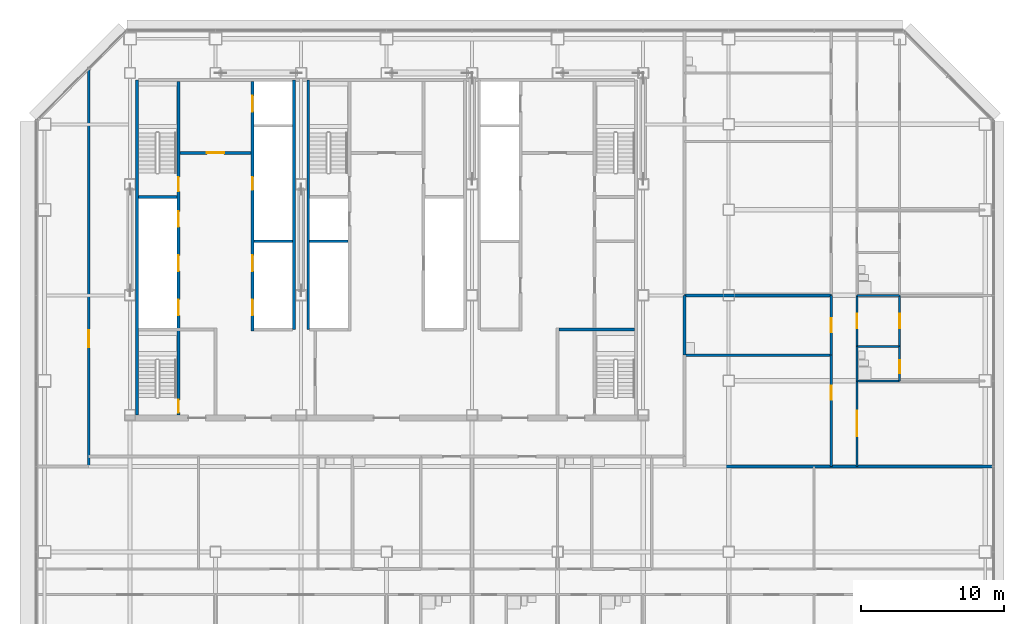
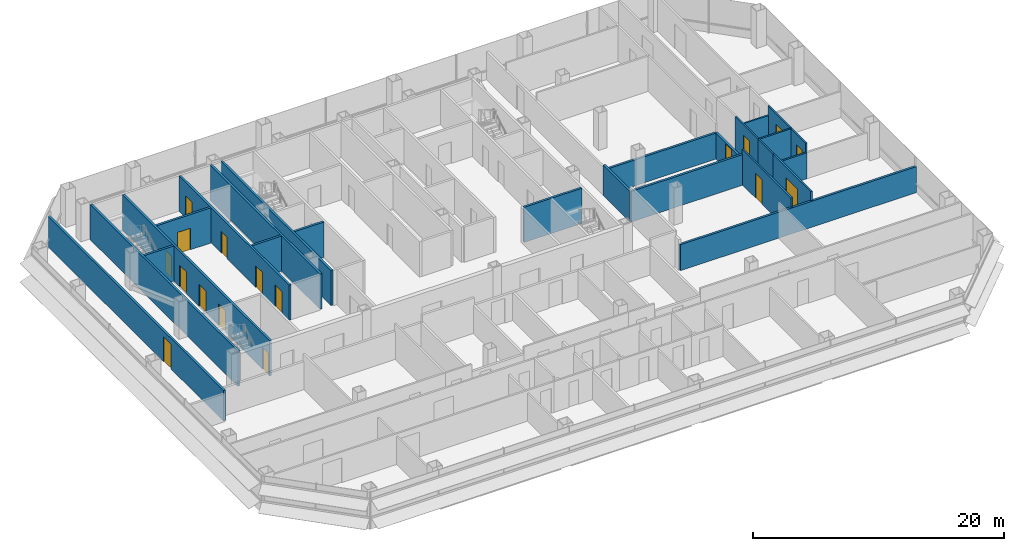
# One storey, part 22 of 26: 25 walls, 17 doors, 17 openings.
"""IFC4 building model written with IfcOpenShell, lengths in metres."""

import ifcopenshell
import ifcopenshell.guid

model = None  # the IFC model being written
_history = None  # IfcOwnerHistory: only IFC2X3 demands one
_inside = {}  # id of a spatial element -> (the spatial element, [elements in it])
_under = {}  # id of a project, library or spatial element -> (it, [spatial elements below it])
_declared = {}  # id of a project -> (the project, [libraries it declares])
_typed = {}  # id of a type object -> (the type object, [elements of that type])
_made_of = {}  # id of a material, layer set ... -> (it, [elements and type objects made of it])


def new_model(schema):
    """Start an empty IFC model of exactly this schema.

    Asked for "IFC4X3", IfcOpenShell would pick the latest addendum, in which some entities
    have other attributes; the version numbers below select the first issue.
    IFC2X3 requires an IfcOwnerHistory on every rooted entity: one is made here for all.
    """
    global model, _history
    if schema == "IFC4X3":
        model = ifcopenshell.file(schema_version=(4, 3, 0, 0))
    else:
        model = ifcopenshell.file(schema=schema)
    _inside.clear()
    _under.clear()
    _declared.clear()
    _typed.clear()
    _made_of.clear()
    _history = None
    if model.schema == "IFC2X3":
        org = make("IfcOrganization", Name="unknown")
        user = make(
            "IfcPersonAndOrganization",
            ThePerson=make("IfcPerson", FamilyName="unknown"),
            TheOrganization=org,
        )
        app = make(
            "IfcApplication",
            ApplicationDeveloper=org,
            Version="unknown",
            ApplicationFullName="unknown",
            ApplicationIdentifier="unknown",
        )
        _history = make(
            "IfcOwnerHistory",
            OwningUser=user,
            OwningApplication=app,
            ChangeAction="ADDED",
            CreationDate=0,
        )
    return model


def make(cls, **values):
    """One entity of the class cls with the attributes given. An attribute that is None is left unset."""
    return model.create_entity(
        cls, **{name: value for name, value in values.items() if value is not None}
    )


def rooted(cls, **values):
    """An entity with a GlobalId (a new one), such as an element, a storey or a relation."""
    return make(cls, GlobalId=ifcopenshell.guid.new(), OwnerHistory=_history, **values)


def si_unit(unit_type, name, prefix=None):
    """IfcSIUnit, for example si_unit("LENGTHUNIT", "METRE", prefix="MILLI")."""
    return make("IfcSIUnit", UnitType=unit_type, Prefix=prefix, Name=name)


def assignment(units):
    """IfcUnitAssignment: the units of a project."""
    return None if units is None else make("IfcUnitAssignment", Units=units)


def point(xyz):
    """IfcCartesianPoint."""
    return None if xyz is None else make("IfcCartesianPoint", Coordinates=xyz)


def direction(xyz):
    """IfcDirection."""
    return None if xyz is None else make("IfcDirection", DirectionRatios=xyz)


def frame(location, z_axis=None, x_axis=None):
    """IfcAxis2Placement3D, a coordinate frame: its origin and axes. An axis left out is left unset."""
    return make(
        "IfcAxis2Placement3D",
        Location=point(location),
        Axis=direction(z_axis),
        RefDirection=direction(x_axis),
    )


def frame_2d(location, x_axis=None):
    """IfcAxis2Placement2D, a coordinate frame in the plane: its origin and x axis."""
    return make(
        "IfcAxis2Placement2D", Location=point(location), RefDirection=direction(x_axis)
    )


def origin():
    """The frame at (0, 0, 0) with its axes left unset."""
    return frame((0.0, 0.0, 0.0))


def place(relative_to, where):
    """IfcLocalPlacement: puts the frame where relative to a parent placement (None: the world)."""
    return make(
        "IfcLocalPlacement", PlacementRelTo=relative_to, RelativePlacement=where
    )


def context(
    kind, dimensions, precision=None, world=None, true_north=None, identifier=None
):
    """IfcGeometricRepresentationContext, for example the 3D "Model" context."""
    return make(
        "IfcGeometricRepresentationContext",
        ContextIdentifier=identifier,
        ContextType=kind,
        CoordinateSpaceDimension=dimensions,
        Precision=precision,
        WorldCoordinateSystem=world,
        TrueNorth=true_north,
    )


def subcontext(parent, identifier, kind, view, scale=None):
    """IfcGeometricRepresentationSubContext, for example "Body" below "Model"."""
    return make(
        "IfcGeometricRepresentationSubContext",
        ContextIdentifier=identifier,
        ContextType=kind,
        ParentContext=parent,
        TargetScale=scale,
        TargetView=view,
    )


def project(units=None, contexts=None):
    """IfcProject with its units and contexts."""
    return rooted(
        "IfcProject",
        Name="project",
        RepresentationContexts=contexts,
        UnitsInContext=assignment(units),
    )


def spatial(cls, under=None, at=None, **own):
    """A site, building, storey or space (cls), placed at a placement, below another one or the project."""
    s = rooted(cls, ObjectPlacement=at, **own)
    if under is not None:
        _under.setdefault(under.id(), (under, []))[1].append(s)
    return s


def profile(cls, at=None, kind="AREA", **sizes):
    """A parametric profile (cls). Its sizes go by their IFC names, for example OverallWidth=200.0."""
    return make(cls, ProfileType=kind, Position=at, **sizes)


def rectangle(**sizes):
    """IfcRectangleProfileDef."""
    return profile("IfcRectangleProfileDef", **sizes)


def extrude(swept, where, along, depth):
    """IfcExtrudedAreaSolid: the profile swept, set in the frame where, extruded along a direction by depth."""
    return make(
        "IfcExtrudedAreaSolid",
        SweptArea=swept,
        Position=where,
        ExtrudedDirection=direction(along),
        Depth=depth,
    )


def shape(context_of_items, identifier, shape_type, items):
    """IfcShapeRepresentation: the items that make up one representation, for example the "Body"."""
    return make(
        "IfcShapeRepresentation",
        ContextOfItems=context_of_items,
        RepresentationIdentifier=identifier,
        RepresentationType=shape_type,
        Items=items,
    )


def material(Name=None, Category=None):
    """IfcMaterial."""
    return make("IfcMaterial", Name=Name, Category=Category)


def layer(
    of_material, thickness, ventilated=None, Name=None, Category=None, Priority=None
):
    """IfcMaterialLayer: one layer of a wall or slab, of a material (None: an air gap)."""
    return make(
        "IfcMaterialLayer",
        Material=of_material,
        LayerThickness=thickness,
        IsVentilated=ventilated,
        Name=Name,
        Category=Category,
        Priority=Priority,
    )


def layer_set(layers, Name=None):
    """IfcMaterialLayerSet."""
    return make("IfcMaterialLayerSet", MaterialLayers=layers, LayerSetName=Name)


def made_of(thing, what):
    """Note that an element or type object is made of a material, layer set ...; save() writes the relation."""
    if what is not None:
        _made_of.setdefault(what.id(), (what, []))[1].append(thing)
    return thing


def type_object(cls, material=None, **own):
    """A type object (cls), such as IfcWallType, which elements share."""
    return made_of(rooted(cls, **own), material)


def element(
    cls,
    number,
    at=None,
    inside=None,
    cuts=None,
    type_object=None,
    material=None,
    context=None,
    identifier="Body",
    shape_type=None,
    held_by="IfcProductDefinitionShape",
    body=None,
    shapes=None,
    **own,
):
    """One element of the class cls, such as IfcWall. Its Tag is "e" and its number.

    at: its placement. inside: the storey or other place that contains it. cuts: it is an
    opening in that element (IfcRelVoidsElement). A single representation is given by context,
    identifier, shape_type and body (its items); several are given by shapes. held_by: the class
    of the entity that holds the representations. save() writes the other relations.
    """
    e = rooted(cls, Tag="e%d" % number, ObjectPlacement=at, **own)
    if body is not None:
        shapes = [shape(context, identifier, shape_type, body)]
    if shapes is not None:
        e.Representation = make(held_by, Representations=shapes)
    if inside is not None:
        _inside.setdefault(inside.id(), (inside, []))[1].append(e)
    if cuts is not None:
        rooted(
            "IfcRelVoidsElement", RelatingBuildingElement=cuts, RelatedOpeningElement=e
        )
    if type_object is not None:
        _typed.setdefault(type_object.id(), (type_object, []))[1].append(e)
    return made_of(e, material)


def fill(opening, filler):
    """IfcRelFillsElement: the door or window that sits in an opening."""
    return rooted(
        "IfcRelFillsElement",
        RelatingOpeningElement=opening,
        RelatedBuildingElement=filler,
    )


def aggregate(whole, parts):
    """IfcRelAggregates: a whole, such as a stair, and the parts it consists of."""
    return rooted("IfcRelAggregates", RelatingObject=whole, RelatedObjects=parts)


def save(model, path):
    """Write the relations noted so far, then the file.

    IfcRelAggregates (storeys below a building ...), IfcRelContainedInSpatialStructure (elements
    in a storey), IfcRelDefinesByType, IfcRelAssociatesMaterial and IfcRelDeclares: one each for
    every whole, place, type object, material and project.
    """
    for whole, parts in _under.values():
        aggregate(whole, parts)
    for where, things in _inside.values():
        rooted(
            "IfcRelContainedInSpatialStructure",
            RelatedElements=things,
            RelatingStructure=where,
        )
    for kind, things in _typed.values():
        rooted("IfcRelDefinesByType", RelatedObjects=things, RelatingType=kind)
    for what, things in _made_of.values():
        rooted("IfcRelAssociatesMaterial", RelatedObjects=things, RelatingMaterial=what)
    for by, libraries in _declared.values():
        rooted("IfcRelDeclares", RelatingContext=by, RelatedDefinitions=libraries)
    model.write(path)


model = new_model("IFC4")

# Units and contexts
model_context = context("Model", 3, precision=1e-05, world=origin(), true_north=direction((0.0, 1.0)))
body_context = subcontext(model_context, "Body", "Model", "MODEL_VIEW")
ifc_project = project(units=[si_unit("LENGTHUNIT", "METRE"), si_unit("AREAUNIT", "SQUARE_METRE"), si_unit("VOLUMEUNIT", "CUBIC_METRE"), si_unit("PLANEANGLEUNIT", "RADIAN"), si_unit("MASSUNIT", "GRAM", prefix="KILO")], contexts=[model_context])

# Site, building, storey
site_placement = place(None, origin())
site = spatial("IfcSite", under=ifc_project, at=site_placement, CompositionType="ELEMENT")
building_placement = place(site_placement, origin())
building = spatial("IfcBuilding", under=site, at=building_placement, Name="Sorahane Residences", CompositionType="ELEMENT")
storey_placement = place(building_placement, frame((0.0, 0.0, 67.800048828125)))
storey = spatial("IfcBuildingStorey", under=building, at=storey_placement, Name="L13", CompositionType="ELEMENT", Elevation=67.800048828125)

# Walls
ifc_material_1 = material(Name="Concrete C30", Category="concrete")
ifc_layer_1 = layer(ifc_material_1, 0.199951171875)
ifc_layer_set_1 = layer_set([ifc_layer_1], Name="Core face wall 200 EI 180")
wall_type_1 = type_object("IfcWallType", Name="Core face wall 200 EI 180", PredefinedType="SOLIDWALL", material=ifc_layer_set_1)
wall_1_placement = place(storey_placement, frame((6.5, 21.60009765625, 0.0), z_axis=(0.0, 0.0, 1.0), x_axis=(0.0, 1.0, 0.0)))
element("IfcWall", 1, at=wall_1_placement, inside=storey, type_object=wall_type_1, Name="L13 core face wall", PredefinedType="SOLIDWALL", context=body_context, shape_type="SweptSolid", body=[
    extrude(rectangle(XDim=23.5, YDim=0.199951171875, at=frame_2d((11.75, 0.0))), origin(), (0.0, 0.0, 1.0), 3.419921875),
])
for number, where, z_axis, x_axis, name in (
    (2, (17.5, 27.60009765625, 0.0), (0.0, 0.0, 1.0), (0.0, 1.0, 0.0), "L13 core face wall"),
    (3, (18.5, 27.60009765625, 0.0), (0.0, 0.0, 1.0), (0.0, 1.0, 0.0), "L13 core face wall"),
):
    element("IfcWall", number, at=place(storey_placement, frame(where, z_axis=z_axis, x_axis=x_axis)), inside=storey, type_object=wall_type_1, Name=name, PredefinedType="SOLIDWALL", context=body_context, shape_type="SweptSolid", body=[
        extrude(rectangle(XDim=17.5, YDim=0.199951171875, at=frame_2d((8.75, 0.0))), origin(), (0.0, 0.0, 1.0), 3.419921875),
    ])

# Wall, opening, door
ifc_material_2 = material(Name="Concrete blockwork C20 wall", Category="masonry")
ifc_layer_2 = layer(ifc_material_2, 0.199951171875)
ifc_layer_set_2 = layer_set([ifc_layer_2], Name="Corridor wall 200 EI 120")
wall_type_2 = type_object("IfcWallType", Name="Corridor wall 200 EI 120", PredefinedType="SOLIDWALL", material=ifc_layer_set_2)
wall_2_placement = place(storey_placement, frame((3.10009765625, 18.0, 0.0), z_axis=(0.0, 0.0, 1.0), x_axis=(0.0, 1.0, 0.0)))
wall_2 = element("IfcWall", 4, at=wall_2_placement, inside=storey, type_object=wall_type_2, Name="L13 corridor wall", PredefinedType="SOLIDWALL", context=body_context, shape_type="SweptSolid", body=[
    extrude(rectangle(XDim=27.948974609375, YDim=0.199951171875, at=frame_2d((13.974609375, 0.0))), origin(), (0.0, 0.0, 1.0), 2.969970703125),
])
opening_1_placement = place(wall_2_placement, frame((8.360107421875, 0.0, 0.0)))
opening_1 = element("IfcOpeningElement", 5, at=opening_1_placement, cuts=wall_2, Name="Opening L13-45", PredefinedType="OPENING", context=body_context, shape_type="SweptSolid", body=[
    extrude(rectangle(XDim=1.199951171875, YDim=2.39990234375, at=frame_2d((0.60009765625, 1.199951171875))), frame((0.0, 0.10986328125, 0.0), z_axis=(0.0, -1.0, 0.0), x_axis=(1.0, 0.0, 0.0)), (0.0, 0.0, 1.0), 0.219970703125),
])
ifc_material_3 = material(Name="Steel", Category="steel")
door_type_1 = type_object("IfcDoorType", Name="Lobby door 1200x2400 FD60", OperationType="NOTDEFINED", PredefinedType="DOOR", material=ifc_material_3)
door_1_placement = place(opening_1_placement, origin())
door_1 = element("IfcDoor", 6, at=door_1_placement, inside=storey, type_object=door_type_1, Name="Lobby door L13-45", OperationType="SINGLE_SWING_RIGHT", OverallHeight=2.39990234375, OverallWidth=1.199951171875, PredefinedType="DOOR", context=body_context, shape_type="SweptSolid", body=[
    extrude(rectangle(XDim=1.199951171875, YDim=2.39990234375, at=frame_2d((0.60009765625, 1.199951171875))), frame((0.0, 0.02490234375, 0.0), z_axis=(0.0, -1.0, 0.0), x_axis=(1.0, 0.0, 0.0)), (0.0, 0.0, 1.0), 0.050048828125),
])
fill(opening_1, door_1)

ifc_material_4 = material(Name="Concrete C30", Category="concrete")
ifc_layer_3 = layer(ifc_material_4, 0.199951171875)
ifc_layer_set_3 = layer_set([ifc_layer_3], Name="Front room wall 200 EI 120")
wall_type_3 = type_object("IfcWallType", Name="Front room wall 200 EI 120", PredefinedType="PARTITIONING", material=ifc_layer_set_3)
wall_3_placement = place(storey_placement, frame((9.5, 40.0, 0.0), z_axis=(0.0, 0.0, 1.0), x_axis=(1.0, 0.0, 0.0)))
wall_3 = element("IfcWall", 7, at=wall_3_placement, inside=storey, type_object=wall_type_3, Name="L13 front room wall", PredefinedType="PARTITIONING", context=body_context, shape_type="SweptSolid", body=[
    extrude(rectangle(XDim=5.0, YDim=0.199951171875, at=frame_2d((2.5, 0.0))), origin(), (0.0, 0.0, 1.0), 3.419921875),
])
opening_2_placement = place(wall_3_placement, frame((1.89990234375, 0.0, 0.0)))
opening_2 = element("IfcOpeningElement", 8, at=opening_2_placement, cuts=wall_3, Name="Opening L13-C07", PredefinedType="OPENING", context=body_context, shape_type="SweptSolid", body=[
    extrude(rectangle(XDim=1.199951171875, YDim=2.10009765625, at=frame_2d((0.60009765625, 1.050048828125))), frame((0.0, 0.10986328125, 0.0), z_axis=(0.0, -1.0, 0.0), x_axis=(1.0, 0.0, 0.0)), (0.0, 0.0, 1.0), 0.219970703125),
])
ifc_material_5 = material(Name="Steel", Category="steel")
door_type_2 = type_object("IfcDoorType", Name="Front room door 1200x2100 FD120", OperationType="NOTDEFINED", PredefinedType="DOOR", material=ifc_material_5)
door_2_placement = place(opening_2_placement, frame((1.199951171875, 0.0, 0.0), z_axis=(0.0, 0.0, 1.0), x_axis=(-1.0, 0.0, 0.0)))
door_2 = element("IfcDoor", 9, at=door_2_placement, inside=storey, type_object=door_type_2, Name="Front room door Firefighting lobby FF1 front room L13", OperationType="DOUBLE_DOOR_SINGLE_SWING", OverallHeight=2.10009765625, OverallWidth=1.199951171875, PredefinedType="DOOR", context=body_context, shape_type="SweptSolid", body=[
    extrude(rectangle(XDim=1.199951171875, YDim=2.10009765625, at=frame_2d((0.60009765625, 1.050048828125))), frame((0.0, 0.02490234375, 0.0), z_axis=(0.0, -1.0, 0.0), x_axis=(1.0, 0.0, 0.0)), (0.0, 0.0, 1.0), 0.050048828125),
])
fill(opening_2, door_2)

# Wall
ifc_material_6 = material(Name="Concrete blockwork C20 wall", Category="masonry")
ifc_layer_4 = layer(ifc_material_6, 0.199951171875)
ifc_layer_set_4 = layer_set([ifc_layer_4], Name="Kitchen wall 200 EI 180")
wall_type_4 = type_object("IfcWallType", Name="Kitchen wall 200 EI 180", PredefinedType="SOLIDWALL", material=ifc_layer_set_4)
wall_4_placement = place(storey_placement, frame((44.89990234375, 25.800048828125, 0.0), z_axis=(0.0, 0.0, 1.0), x_axis=(0.0, 1.0, 0.0)))
element("IfcWall", 10, at=wall_4_placement, inside=storey, type_object=wall_type_4, Name="L13 kitchen wall", PredefinedType="SOLIDWALL", context=body_context, shape_type="SweptSolid", body=[
    extrude(rectangle(XDim=4.199951171875, YDim=0.199951171875, at=frame_2d((2.10009765625, 0.0))), origin(), (0.0, 0.0, 1.0), 2.969970703125),
])

# Wall, opening, door
wall_5_placement = place(storey_placement, frame((55.199951171875, 25.800048828125, 0.0), z_axis=(0.0, 0.0, 1.0), x_axis=(0.0, 1.0, 0.0)))
wall_5 = element("IfcWall", 11, at=wall_5_placement, inside=storey, type_object=wall_type_4, Name="L13 kitchen wall", PredefinedType="SOLIDWALL", context=body_context, shape_type="SweptSolid", body=[
    extrude(rectangle(XDim=4.199951171875, YDim=0.199951171875, at=frame_2d((2.10009765625, 0.0))), origin(), (0.0, 0.0, 1.0), 2.52001953125),
])
opening_3_placement = place(wall_5_placement, frame((1.60009765625, 0.0, 0.0)))
opening_3 = element("IfcOpeningElement", 12, at=opening_3_placement, cuts=wall_5, Name="Opening L13-30", PredefinedType="OPENING", context=body_context, shape_type="SweptSolid", body=[
    extrude(rectangle(XDim=1.0, YDim=2.39990234375, at=frame_2d((0.5, 1.199951171875))), frame((0.0, 0.10986328125, 0.0), z_axis=(0.0, -1.0, 0.0), x_axis=(1.0, 0.0, 0.0)), (0.0, 0.0, 1.0), 0.219970703125),
])
ifc_material_7 = material(Name="Steel", Category="steel")
door_type_3 = type_object("IfcDoorType", Name="Kitchen door 1000x2400 FD120", OperationType="NOTDEFINED", PredefinedType="DOOR", material=ifc_material_7)
door_3_placement = place(opening_3_placement, origin())
door_3 = element("IfcDoor", 13, at=door_3_placement, inside=storey, type_object=door_type_3, Name="Kitchen door L13-30", OperationType="SINGLE_SWING_LEFT", OverallHeight=2.39990234375, OverallWidth=1.0, PredefinedType="DOOR", context=body_context, shape_type="SweptSolid", body=[
    extrude(rectangle(XDim=1.0, YDim=2.39990234375, at=frame_2d((0.5, 1.199951171875))), frame((0.0, 0.02490234375, 0.0), z_axis=(0.0, -1.0, 0.0), x_axis=(1.0, 0.0, 0.0)), (0.0, 0.0, 1.0), 0.050048828125),
])
fill(opening_3, door_3)

# Walls
wall_6_placement = place(storey_placement, frame((44.89990234375, 25.800048828125, 0.0), z_axis=(0.0, 0.0, 1.0), x_axis=(1.0, 0.0, 0.0)))
element("IfcWall", 14, at=wall_6_placement, inside=storey, type_object=wall_type_4, Name="L13 kitchen wall", PredefinedType="SOLIDWALL", context=body_context, shape_type="SweptSolid", body=[
    extrude(rectangle(XDim=10.300048828125, YDim=0.199951171875, at=frame_2d((5.14990234375, 0.0))), origin(), (0.0, 0.0, 1.0), 2.969970703125),
])
wall_7_placement = place(storey_placement, frame((44.89990234375, 30.0, 0.0), z_axis=(0.0, 0.0, 1.0), x_axis=(1.0, 0.0, 0.0)))
element("IfcWall", 15, at=wall_7_placement, inside=storey, type_object=wall_type_4, Name="L13 kitchen wall", PredefinedType="SOLIDWALL", context=body_context, shape_type="SweptSolid", body=[
    extrude(rectangle(XDim=10.300048828125, YDim=0.199951171875, at=frame_2d((5.14990234375, 0.0))), origin(), (0.0, 0.0, 1.0), 2.52001953125),
])

# Wall, openings, doors
ifc_material_8 = material(Name="Concrete C30", Category="concrete")
ifc_layer_5 = layer(ifc_material_8, 0.199951171875)
ifc_layer_set_5 = layer_set([ifc_layer_5], Name="Lift shaft wall 200 EI 120")
wall_type_5 = type_object("IfcWallType", Name="Lift shaft wall 200 EI 120", PredefinedType="SOLIDWALL", material=ifc_layer_set_5)
wall_8_placement = place(storey_placement, frame((14.60009765625, 27.5, 0.0), z_axis=(0.0, 0.0, 1.0), x_axis=(0.0, 1.0, 0.0)))
wall_8 = element("IfcWall", 16, at=wall_8_placement, inside=storey, type_object=wall_type_5, Name="L13 lift shaft wall", PredefinedType="SOLIDWALL", context=body_context, shape_type="SweptSolid", body=[
    extrude(rectangle(XDim=17.5, YDim=0.199951171875, at=frame_2d((8.75, 0.0))), origin(), (0.0, 0.0, 1.0), 3.419921875),
])
opening_4_placement = place(wall_8_placement, frame((1.10009765625, 0.0, 0.0)))
opening_4 = element("IfcOpeningElement", 17, at=opening_4_placement, cuts=wall_8, Name="Opening L13-C11", PredefinedType="OPENING", context=body_context, shape_type="SweptSolid", body=[
    extrude(rectangle(XDim=1.10009765625, YDim=2.10009765625, at=frame_2d((0.550048828125, 1.050048828125))), frame((0.0, 0.10986328125, 0.0), z_axis=(0.0, -1.0, 0.0), x_axis=(1.0, 0.0, 0.0)), (0.0, 0.0, 1.0), 0.219970703125),
])
opening_5_placement = place(wall_8_placement, frame((4.199951171875, 0.0, 0.0)))
opening_5 = element("IfcOpeningElement", 18, at=opening_5_placement, cuts=wall_8, Name="Opening L13-C12", PredefinedType="OPENING", context=body_context, shape_type="SweptSolid", body=[
    extrude(rectangle(XDim=1.10009765625, YDim=2.10009765625, at=frame_2d((0.550048828125, 1.050048828125))), frame((0.0, 0.10986328125, 0.0), z_axis=(0.0, -1.0, 0.0), x_axis=(1.0, 0.0, 0.0)), (0.0, 0.0, 1.0), 0.219970703125),
])
opening_6_placement = place(wall_8_placement, frame((15.39990234375, 0.0, 0.0)))
opening_6 = element("IfcOpeningElement", 19, at=opening_6_placement, cuts=wall_8, Name="Opening L13-C13", PredefinedType="OPENING", context=body_context, shape_type="SweptSolid", body=[
    extrude(rectangle(XDim=1.10009765625, YDim=2.10009765625, at=frame_2d((0.550048828125, 1.050048828125))), frame((0.0, 0.10986328125, 0.0), z_axis=(0.0, -1.0, 0.0), x_axis=(1.0, 0.0, 0.0)), (0.0, 0.0, 1.0), 0.219970703125),
])
opening_7_placement = place(wall_8_placement, frame((9.89990234375, 0.0, 0.0)))
opening_7 = element("IfcOpeningElement", 20, at=opening_7_placement, cuts=wall_8, Name="Opening L13-C25", PredefinedType="OPENING", context=body_context, shape_type="SweptSolid", body=[
    extrude(rectangle(XDim=0.89990234375, YDim=2.10009765625, at=frame_2d((0.449951171875, 1.050048828125))), frame((0.0, 0.10986328125, 0.0), z_axis=(0.0, -1.0, 0.0), x_axis=(1.0, 0.0, 0.0)), (0.0, 0.0, 1.0), 0.219970703125),
])
ifc_material_9 = material(Name="Aluminium and stainless steel", Category="steel")
door_type_4 = type_object("IfcDoorType", Name="Lift landing door 1100x2100 E 60", OperationType="NOTDEFINED", PredefinedType="DOOR", material=ifc_material_9)
door_4_placement = place(opening_4_placement, origin())
door_4 = element("IfcDoor", 21, at=door_4_placement, inside=storey, type_object=door_type_4, Name="Lift landing door LR4 L13", OperationType="DOUBLE_DOOR_SLIDING", OverallHeight=2.10009765625, OverallWidth=1.10009765625, PredefinedType="DOOR", context=body_context, shape_type="SweptSolid", body=[
    extrude(rectangle(XDim=1.10009765625, YDim=2.10009765625, at=frame_2d((0.550048828125, 1.050048828125))), frame((0.0, 0.02490234375, 0.0), z_axis=(0.0, -1.0, 0.0), x_axis=(1.0, 0.0, 0.0)), (0.0, 0.0, 1.0), 0.050048828125),
])
fill(opening_4, door_4)
door_5_placement = place(opening_5_placement, origin())
door_5 = element("IfcDoor", 22, at=door_5_placement, inside=storey, type_object=door_type_4, Name="Lift landing door LR5 L13", OperationType="DOUBLE_DOOR_SLIDING", OverallHeight=2.10009765625, OverallWidth=1.10009765625, PredefinedType="DOOR", context=body_context, shape_type="SweptSolid", body=[
    extrude(rectangle(XDim=1.10009765625, YDim=2.10009765625, at=frame_2d((0.550048828125, 1.050048828125))), frame((0.0, 0.02490234375, 0.0), z_axis=(0.0, -1.0, 0.0), x_axis=(1.0, 0.0, 0.0)), (0.0, 0.0, 1.0), 0.050048828125),
])
fill(opening_5, door_5)
door_6_placement = place(opening_6_placement, origin())
door_6 = element("IfcDoor", 23, at=door_6_placement, inside=storey, type_object=door_type_4, Name="Lift landing door FF1 L13", OperationType="DOUBLE_DOOR_SLIDING", OverallHeight=2.10009765625, OverallWidth=1.10009765625, PredefinedType="DOOR", context=body_context, shape_type="SweptSolid", body=[
    extrude(rectangle(XDim=1.10009765625, YDim=2.10009765625, at=frame_2d((0.550048828125, 1.050048828125))), frame((0.0, 0.02490234375, 0.0), z_axis=(0.0, -1.0, 0.0), x_axis=(1.0, 0.0, 0.0)), (0.0, 0.0, 1.0), 0.050048828125),
])
fill(opening_6, door_6)
ifc_material_10 = material(Name="Steel", Category="steel")
door_type_5 = type_object("IfcDoorType", Name="Riser door 900x2100 FD120", OperationType="NOTDEFINED", PredefinedType="DOOR", material=ifc_material_10)
door_7_placement = place(opening_7_placement, origin())
door_7 = element("IfcDoor", 24, at=door_7_placement, inside=storey, type_object=door_type_5, Name="Riser door R1 L13", OperationType="SINGLE_SWING_LEFT", OverallHeight=2.10009765625, OverallWidth=0.89990234375, PredefinedType="DOOR", context=body_context, shape_type="SweptSolid", body=[
    extrude(rectangle(XDim=0.89990234375, YDim=2.10009765625, at=frame_2d((0.449951171875, 1.050048828125))), frame((0.0, 0.02490234375, 0.0), z_axis=(0.0, -1.0, 0.0), x_axis=(1.0, 0.0, 0.0)), (0.0, 0.0, 1.0), 0.050048828125),
])
fill(opening_7, door_7)

# Walls
for number, where, z_axis, x_axis, name in (
    (25, (14.699951171875, 33.800048828125, 0.0), (0.0, 0.0, 1.0), (1.0, 0.0, 0.0), "L13 lift shaft wall"),
    (26, (18.60009765625, 33.800048828125, 0.0), (0.0, 0.0, 1.0), (1.0, 0.0, 0.0), "L13 lift shaft wall"),
):
    element("IfcWall", number, at=place(storey_placement, frame(where, z_axis=z_axis, x_axis=x_axis)), inside=storey, type_object=wall_type_5, Name=name, PredefinedType="SOLIDWALL", context=body_context, shape_type="SweptSolid", body=[
        extrude(rectangle(XDim=2.699951171875, YDim=0.199951171875, at=frame_2d((1.35009765625, 0.0))), origin(), (0.0, 0.0, 1.0), 3.419921875),
    ])

# Wall, opening, door
ifc_material_11 = material(Name="Gypsum board partition on steel studs", Category="steel")
ifc_layer_6 = layer(ifc_material_11, 0.14990234375)
ifc_layer_set_6 = layer_set([ifc_layer_6], Name="Partition 150 EI 90")
wall_type_6 = type_object("IfcWallType", Name="Partition 150 EI 90", PredefinedType="PARTITIONING", material=ifc_layer_set_6)
wall_9_placement = place(storey_placement, frame((55.199951171875, 18.0, 0.0), z_axis=(0.0, 0.0, 1.0), x_axis=(0.0, 1.0, 0.0)))
wall_9 = element("IfcWall", 27, at=wall_9_placement, inside=storey, type_object=wall_type_6, Name="L13 partition", PredefinedType="PARTITIONING", context=body_context, shape_type="SweptSolid", body=[
    extrude(rectangle(XDim=7.800048828125, YDim=0.14990234375, at=frame_2d((3.89990234375, 0.0))), origin(), (0.0, 0.0, 1.0), 3.419921875),
])
opening_8_placement = place(wall_9_placement, frame((4.659912109375, 0.0, 0.0)))
opening_8 = element("IfcOpeningElement", 28, at=opening_8_placement, cuts=wall_9, Name="Opening L13-29", PredefinedType="OPENING", context=body_context, shape_type="SweptSolid", body=[
    extrude(rectangle(XDim=1.0, YDim=2.39990234375, at=frame_2d((0.5, 1.199951171875))), frame((0.0, 0.0849609375, 0.0), z_axis=(0.0, -1.0, 0.0), x_axis=(1.0, 0.0, 0.0)), (0.0, 0.0, 1.0), 0.169921875),
])
ifc_material_12 = material(Name="Timber veneered fire door", Category="wood")
door_type_6 = type_object("IfcDoorType", Name="Room door 1000x2400 FD30", OperationType="NOTDEFINED", PredefinedType="DOOR", material=ifc_material_12)
door_8_placement = place(opening_8_placement, origin())
door_8 = element("IfcDoor", 29, at=door_8_placement, inside=storey, type_object=door_type_6, Name="Room door L13-29", OperationType="SINGLE_SWING_LEFT", OverallHeight=2.39990234375, OverallWidth=1.0, PredefinedType="DOOR", context=body_context, shape_type="SweptSolid", body=[
    extrude(rectangle(XDim=1.0, YDim=2.39990234375, at=frame_2d((0.5, 1.199951171875))), frame((0.0, 0.02490234375, 0.0), z_axis=(0.0, -1.0, 0.0), x_axis=(1.0, 0.0, 0.0)), (0.0, 0.0, 1.0), 0.050048828125),
])
fill(opening_8, door_8)

wall_10_placement = place(storey_placement, frame((57.0, 18.0, 0.0), z_axis=(0.0, 0.0, 1.0), x_axis=(0.0, 1.0, 0.0)))
wall_10 = element("IfcWall", 30, at=wall_10_placement, inside=storey, type_object=wall_type_6, Name="L13 partition", PredefinedType="PARTITIONING", context=body_context, shape_type="SweptSolid", body=[
    extrude(rectangle(XDim=6.0, YDim=0.14990234375, at=frame_2d((3.0, 0.0))), origin(), (0.0, 0.0, 1.0), 3.419921875),
])
opening_9_placement = place(wall_10_placement, frame((2.10009765625, 0.0, 0.0)))
opening_9 = element("IfcOpeningElement", 31, at=opening_9_placement, cuts=wall_10, Name="Opening L13-33", PredefinedType="OPENING", context=body_context, shape_type="SweptSolid", body=[
    extrude(rectangle(XDim=1.800048828125, YDim=2.39990234375, at=frame_2d((0.89990234375, 1.199951171875))), frame((0.0, 0.0849609375, 0.0), z_axis=(0.0, -1.0, 0.0), x_axis=(1.0, 0.0, 0.0)), (0.0, 0.0, 1.0), 0.169921875),
])
ifc_material_13 = material(Name="Timber veneered fire door", Category="wood")
door_type_7 = type_object("IfcDoorType", Name="Double door 1800x2400 FD30", OperationType="NOTDEFINED", PredefinedType="DOOR", material=ifc_material_13)
door_9_placement = place(opening_9_placement, frame((1.800048828125, 0.0, 0.0), z_axis=(0.0, 0.0, 1.0), x_axis=(-1.0, 0.0, 0.0)))
door_9 = element("IfcDoor", 32, at=door_9_placement, inside=storey, type_object=door_type_7, Name="Double door L13-33", OperationType="SINGLE_SWING_LEFT", OverallHeight=2.39990234375, OverallWidth=1.800048828125, PredefinedType="DOOR", context=body_context, shape_type="SweptSolid", body=[
    extrude(rectangle(XDim=1.800048828125, YDim=2.39990234375, at=frame_2d((0.89990234375, 1.199951171875))), frame((0.0, 0.02490234375, 0.0), z_axis=(0.0, -1.0, 0.0), x_axis=(1.0, 0.0, 0.0)), (0.0, 0.0, 1.0), 0.050048828125),
])
fill(opening_9, door_9)

wall_11_placement = place(storey_placement, frame((57.0, 26.39990234375, 0.0), z_axis=(0.0, 0.0, 1.0), x_axis=(0.0, 1.0, 0.0)))
wall_11 = element("IfcWall", 33, at=wall_11_placement, inside=storey, type_object=wall_type_6, Name="L13 partition", PredefinedType="PARTITIONING", context=body_context, shape_type="SweptSolid", body=[
    extrude(rectangle(XDim=3.60009765625, YDim=0.14990234375, at=frame_2d((1.800048828125, 0.0))), origin(), (0.0, 0.0, 1.0), 3.419921875),
])
opening_10_placement = place(wall_11_placement, frame((1.300048828125, 0.0, 0.0)))
opening_10 = element("IfcOpeningElement", 34, at=opening_10_placement, cuts=wall_11, Name="Opening L13-34", PredefinedType="OPENING", context=body_context, shape_type="SweptSolid", body=[
    extrude(rectangle(XDim=1.0, YDim=2.39990234375, at=frame_2d((0.5, 1.199951171875))), frame((0.0, 0.0849609375, 0.0), z_axis=(0.0, -1.0, 0.0), x_axis=(1.0, 0.0, 0.0)), (0.0, 0.0, 1.0), 0.169921875),
])
door_10_placement = place(opening_10_placement, frame((1.0, 0.0, 0.0), z_axis=(0.0, 0.0, 1.0), x_axis=(-1.0, 0.0, 0.0)))
door_10 = element("IfcDoor", 35, at=door_10_placement, inside=storey, type_object=door_type_6, Name="Room door L13-34", OperationType="SINGLE_SWING_LEFT", OverallHeight=2.39990234375, OverallWidth=1.0, PredefinedType="DOOR", context=body_context, shape_type="SweptSolid", body=[
    extrude(rectangle(XDim=1.0, YDim=2.39990234375, at=frame_2d((0.5, 1.199951171875))), frame((0.0, 0.02490234375, 0.0), z_axis=(0.0, -1.0, 0.0), x_axis=(1.0, 0.0, 0.0)), (0.0, 0.0, 1.0), 0.050048828125),
])
fill(opening_10, door_10)

wall_12_placement = place(storey_placement, frame((60.0, 26.39990234375, 0.0), z_axis=(0.0, 0.0, 1.0), x_axis=(0.0, 1.0, 0.0)))
wall_12 = element("IfcWall", 36, at=wall_12_placement, inside=storey, type_object=wall_type_6, Name="L13 partition", PredefinedType="PARTITIONING", context=body_context, shape_type="SweptSolid", body=[
    extrude(rectangle(XDim=3.60009765625, YDim=0.14990234375, at=frame_2d((1.800048828125, 0.0))), origin(), (0.0, 0.0, 1.0), 3.419921875),
])
opening_11_placement = place(wall_12_placement, frame((1.300048828125, 0.0, 0.0)))
opening_11 = element("IfcOpeningElement", 37, at=opening_11_placement, cuts=wall_12, Name="Opening L13-37", PredefinedType="OPENING", context=body_context, shape_type="SweptSolid", body=[
    extrude(rectangle(XDim=1.0, YDim=2.39990234375, at=frame_2d((0.5, 1.199951171875))), frame((0.0, 0.0849609375, 0.0), z_axis=(0.0, -1.0, 0.0), x_axis=(1.0, 0.0, 0.0)), (0.0, 0.0, 1.0), 0.169921875),
])
door_11_placement = place(opening_11_placement, frame((1.0, 0.0, 0.0), z_axis=(0.0, 0.0, 1.0), x_axis=(-1.0, 0.0, 0.0)))
door_11 = element("IfcDoor", 38, at=door_11_placement, inside=storey, type_object=door_type_6, Name="Room door L13-37", OperationType="SINGLE_SWING_LEFT", OverallHeight=2.39990234375, OverallWidth=1.0, PredefinedType="DOOR", context=body_context, shape_type="SweptSolid", body=[
    extrude(rectangle(XDim=1.0, YDim=2.39990234375, at=frame_2d((0.5, 1.199951171875))), frame((0.0, 0.02490234375, 0.0), z_axis=(0.0, -1.0, 0.0), x_axis=(1.0, 0.0, 0.0)), (0.0, 0.0, 1.0), 0.050048828125),
])
fill(opening_11, door_11)

# Wall
ifc_material_14 = material(Name="Concrete blockwork C20 wall", Category="masonry")
ifc_layer_7 = layer(ifc_material_14, 0.199951171875)
ifc_layer_set_7 = layer_set([ifc_layer_7], Name="Party wall 200 EI 120")
wall_type_7 = type_object("IfcWallType", Name="Party wall 200 EI 120", PredefinedType="SOLIDWALL", material=ifc_layer_set_7)
wall_13_placement = place(storey_placement, frame((44.89990234375, 18.0, 0.0), z_axis=(0.0, 0.0, 1.0), x_axis=(1.0, 0.0, 0.0)))
element("IfcWall", 39, at=wall_13_placement, inside=storey, type_object=wall_type_7, Name="L13 party wall", PredefinedType="SOLIDWALL", context=body_context, shape_type="SweptSolid", body=[
    extrude(rectangle(XDim=21.7001953125, YDim=0.199951171875, at=frame_2d((10.85009765625, 0.0))), origin(), (0.0, 0.0, 1.0), 2.52001953125),
])

# Wall, openings, doors
ifc_material_15 = material(Name="Concrete C30", Category="concrete")
ifc_layer_8 = layer(ifc_material_15, 0.199951171875)
ifc_layer_set_8 = layer_set([ifc_layer_8], Name="Stair enclosure wall 200 EI 120")
wall_type_8 = type_object("IfcWallType", Name="Stair enclosure wall 200 EI 120", PredefinedType="SOLIDWALL", material=ifc_layer_set_8)
wall_14_placement = place(storey_placement, frame((9.39990234375, 21.60009765625, 0.0), z_axis=(0.0, 0.0, 1.0), x_axis=(0.0, 1.0, 0.0)))
wall_14 = element("IfcWall", 40, at=wall_14_placement, inside=storey, type_object=wall_type_8, Name="L13 stair enclosure wall", PredefinedType="SOLIDWALL", context=body_context, shape_type="SweptSolid", body=[
    extrude(rectangle(XDim=23.39990234375, YDim=0.199951171875, at=frame_2d((11.699951171875, 0.0))), origin(), (0.0, 0.0, 1.0), 3.419921875),
])
opening_12_placement = place(wall_14_placement, frame((7.0, 0.0, 0.0)))
opening_12 = element("IfcOpeningElement", 41, at=opening_12_placement, cuts=wall_14, Name="Opening L13-C14", PredefinedType="OPENING", context=body_context, shape_type="SweptSolid", body=[
    extrude(rectangle(XDim=1.10009765625, YDim=2.10009765625, at=frame_2d((0.550048828125, 1.050048828125))), frame((0.0, 0.10986328125, 0.0), z_axis=(0.0, -1.0, 0.0), x_axis=(1.0, 0.0, 0.0)), (0.0, 0.0, 1.0), 0.219970703125),
])
opening_13_placement = place(wall_14_placement, frame((10.10009765625, 0.0, 0.0)))
opening_13 = element("IfcOpeningElement", 42, at=opening_13_placement, cuts=wall_14, Name="Opening L13-C15", PredefinedType="OPENING", context=body_context, shape_type="SweptSolid", body=[
    extrude(rectangle(XDim=1.10009765625, YDim=2.10009765625, at=frame_2d((0.550048828125, 1.050048828125))), frame((0.0, 0.10986328125, 0.0), z_axis=(0.0, -1.0, 0.0), x_axis=(1.0, 0.0, 0.0)), (0.0, 0.0, 1.0), 0.219970703125),
])
opening_14_placement = place(wall_14_placement, frame((13.199951171875, 0.0, 0.0)))
opening_14 = element("IfcOpeningElement", 43, at=opening_14_placement, cuts=wall_14, Name="Opening L13-C16", PredefinedType="OPENING", context=body_context, shape_type="SweptSolid", body=[
    extrude(rectangle(XDim=1.10009765625, YDim=2.10009765625, at=frame_2d((0.550048828125, 1.050048828125))), frame((0.0, 0.10986328125, 0.0), z_axis=(0.0, -1.0, 0.0), x_axis=(1.0, 0.0, 0.0)), (0.0, 0.0, 1.0), 0.219970703125),
])
opening_15_placement = place(wall_14_placement, frame((15.699951171875, 0.0, 0.0)))
opening_15 = element("IfcOpeningElement", 44, at=opening_15_placement, cuts=wall_14, Name="Opening L13-C20", PredefinedType="OPENING", context=body_context, shape_type="SweptSolid", body=[
    extrude(rectangle(XDim=1.0, YDim=2.10009765625, at=frame_2d((0.5, 1.050048828125))), frame((0.0, 0.10986328125, 0.0), z_axis=(0.0, -1.0, 0.0), x_axis=(1.0, 0.0, 0.0)), (0.0, 0.0, 1.0), 0.219970703125),
])
opening_16_placement = place(wall_14_placement, frame((0.175048828125, 0.0, 0.0)))
opening_16 = element("IfcOpeningElement", 45, at=opening_16_placement, cuts=wall_14, Name="Opening L13-C23", PredefinedType="OPENING", context=body_context, shape_type="SweptSolid", body=[
    extrude(rectangle(XDim=0.89990234375, YDim=2.10009765625, at=frame_2d((0.449951171875, 1.050048828125))), frame((0.0, 0.10986328125, 0.0), z_axis=(0.0, -1.0, 0.0), x_axis=(1.0, 0.0, 0.0)), (0.0, 0.0, 1.0), 0.219970703125),
])
door_12_placement = place(opening_12_placement, origin())
door_12 = element("IfcDoor", 46, at=door_12_placement, inside=storey, type_object=door_type_4, Name="Lift landing door LR1 L13", OperationType="DOUBLE_DOOR_SLIDING", OverallHeight=2.10009765625, OverallWidth=1.10009765625, PredefinedType="DOOR", context=body_context, shape_type="SweptSolid", body=[
    extrude(rectangle(XDim=1.10009765625, YDim=2.10009765625, at=frame_2d((0.550048828125, 1.050048828125))), frame((0.0, 0.02490234375, 0.0), z_axis=(0.0, -1.0, 0.0), x_axis=(1.0, 0.0, 0.0)), (0.0, 0.0, 1.0), 0.050048828125),
])
fill(opening_12, door_12)
door_13_placement = place(opening_13_placement, origin())
door_13 = element("IfcDoor", 47, at=door_13_placement, inside=storey, type_object=door_type_4, Name="Lift landing door LR2 L13", OperationType="DOUBLE_DOOR_SLIDING", OverallHeight=2.10009765625, OverallWidth=1.10009765625, PredefinedType="DOOR", context=body_context, shape_type="SweptSolid", body=[
    extrude(rectangle(XDim=1.10009765625, YDim=2.10009765625, at=frame_2d((0.550048828125, 1.050048828125))), frame((0.0, 0.02490234375, 0.0), z_axis=(0.0, -1.0, 0.0), x_axis=(1.0, 0.0, 0.0)), (0.0, 0.0, 1.0), 0.050048828125),
])
fill(opening_13, door_13)
door_14_placement = place(opening_14_placement, origin())
door_14 = element("IfcDoor", 48, at=door_14_placement, inside=storey, type_object=door_type_4, Name="Lift landing door LR3 L13", OperationType="DOUBLE_DOOR_SLIDING", OverallHeight=2.10009765625, OverallWidth=1.10009765625, PredefinedType="DOOR", context=body_context, shape_type="SweptSolid", body=[
    extrude(rectangle(XDim=1.10009765625, YDim=2.10009765625, at=frame_2d((0.550048828125, 1.050048828125))), frame((0.0, 0.02490234375, 0.0), z_axis=(0.0, -1.0, 0.0), x_axis=(1.0, 0.0, 0.0)), (0.0, 0.0, 1.0), 0.050048828125),
])
fill(opening_14, door_14)
ifc_material_16 = material(Name="Steel", Category="steel")
door_type_8 = type_object("IfcDoorType", Name="Stair door 1000x2100 FD120", OperationType="NOTDEFINED", PredefinedType="DOOR", material=ifc_material_16)
door_15_placement = place(opening_15_placement, origin())
door_15 = element("IfcDoor", 49, at=door_15_placement, inside=storey, type_object=door_type_8, Name="Stair door S1 L13", OperationType="SINGLE_SWING_LEFT", OverallHeight=2.10009765625, OverallWidth=1.0, PredefinedType="DOOR", context=body_context, shape_type="SweptSolid", body=[
    extrude(rectangle(XDim=1.0, YDim=2.10009765625, at=frame_2d((0.5, 1.050048828125))), frame((0.0, 0.02490234375, 0.0), z_axis=(0.0, -1.0, 0.0), x_axis=(1.0, 0.0, 0.0)), (0.0, 0.0, 1.0), 0.050048828125),
])
fill(opening_15, door_15)
ifc_material_17 = material(Name="Steel", Category="steel")
door_type_9 = type_object("IfcDoorType", Name="Stair door 900x2100 FD120", OperationType="NOTDEFINED", PredefinedType="DOOR", material=ifc_material_17)
door_16_placement = place(opening_16_placement, origin())
door_16 = element("IfcDoor", 50, at=door_16_placement, inside=storey, type_object=door_type_9, Name="Stair door S4 L13", OperationType="SINGLE_SWING_LEFT", OverallHeight=2.10009765625, OverallWidth=0.89990234375, PredefinedType="DOOR", context=body_context, shape_type="SweptSolid", body=[
    extrude(rectangle(XDim=0.89990234375, YDim=2.10009765625, at=frame_2d((0.449951171875, 1.050048828125))), frame((0.0, 0.02490234375, 0.0), z_axis=(0.0, -1.0, 0.0), x_axis=(1.0, 0.0, 0.0)), (0.0, 0.0, 1.0), 0.050048828125),
])
fill(opening_16, door_16)

# Walls
wall_15_placement = place(storey_placement, frame((36.10009765625, 27.60009765625, 0.0), z_axis=(0.0, 0.0, 1.0), x_axis=(1.0, 0.0, 0.0)))
element("IfcWall", 51, at=wall_15_placement, inside=storey, type_object=wall_type_8, Name="L13 stair enclosure wall", PredefinedType="SOLIDWALL", context=body_context, shape_type="SweptSolid", body=[
    extrude(rectangle(XDim=5.2998046875, YDim=0.199951171875, at=frame_2d((2.64990234375, 0.0))), origin(), (0.0, 0.0, 1.0), 3.419921875),
])
wall_16_placement = place(storey_placement, frame((6.60009765625, 36.89990234375, 0.0), z_axis=(0.0, 0.0, 1.0), x_axis=(1.0, 0.0, 0.0)))
element("IfcWall", 52, at=wall_16_placement, inside=storey, type_object=wall_type_8, Name="L13 stair enclosure wall", PredefinedType="SOLIDWALL", context=body_context, shape_type="SweptSolid", body=[
    extrude(rectangle(XDim=2.699951171875, YDim=0.199951171875, at=frame_2d((1.35009765625, 0.0))), origin(), (0.0, 0.0, 1.0), 3.419921875),
])
ifc_material_18 = material(Name="Gypsum board partition on steel studs", Category="steel")
ifc_layer_9 = layer(ifc_material_18, 0.14990234375)
ifc_layer_set_9 = layer_set([ifc_layer_9], Name="Wet wall 150 EI 90")
wall_type_9 = type_object("IfcWallType", Name="Wet wall 150 EI 90", PredefinedType="PARTITIONING", material=ifc_layer_set_9)
wall_17_placement = place(storey_placement, frame((57.0, 24.0, 0.0), z_axis=(0.0, 0.0, 1.0), x_axis=(0.0, 1.0, 0.0)))
element("IfcWall", 53, at=wall_17_placement, inside=storey, type_object=wall_type_9, Name="L13 wet wall", PredefinedType="PARTITIONING", context=body_context, shape_type="SweptSolid", body=[
    extrude(rectangle(XDim=2.39990234375, YDim=0.14990234375, at=frame_2d((1.199951171875, 0.0))), origin(), (0.0, 0.0, 1.0), 3.419921875),
])

# Wall, opening, door
wall_18_placement = place(storey_placement, frame((60.0, 24.0, 0.0), z_axis=(0.0, 0.0, 1.0), x_axis=(0.0, 1.0, 0.0)))
wall_18 = element("IfcWall", 54, at=wall_18_placement, inside=storey, type_object=wall_type_9, Name="L13 wet wall", PredefinedType="PARTITIONING", context=body_context, shape_type="SweptSolid", body=[
    extrude(rectangle(XDim=2.39990234375, YDim=0.14990234375, at=frame_2d((1.199951171875, 0.0))), origin(), (0.0, 0.0, 1.0), 3.419921875),
])
opening_17_placement = place(wall_18_placement, frame((0.550048828125, 0.0, 0.0)))
opening_17 = element("IfcOpeningElement", 55, at=opening_17_placement, cuts=wall_18, Name="Opening L13-38", PredefinedType="OPENING", context=body_context, shape_type="SweptSolid", body=[
    extrude(rectangle(XDim=0.89990234375, YDim=2.39990234375, at=frame_2d((0.449951171875, 1.199951171875))), frame((0.0, 0.0849609375, 0.0), z_axis=(0.0, -1.0, 0.0), x_axis=(1.0, 0.0, 0.0)), (0.0, 0.0, 1.0), 0.169921875),
])
ifc_material_19 = material(Name="Timber veneered fire door", Category="wood")
door_type_10 = type_object("IfcDoorType", Name="Bathroom door 900x2400 FD30", OperationType="NOTDEFINED", PredefinedType="DOOR", material=ifc_material_19)
door_17_placement = place(opening_17_placement, frame((0.89990234375, 0.0, 0.0), z_axis=(0.0, 0.0, 1.0), x_axis=(-1.0, 0.0, 0.0)))
door_17 = element("IfcDoor", 56, at=door_17_placement, inside=storey, type_object=door_type_10, Name="Bathroom door L13-38", OperationType="SINGLE_SWING_LEFT", OverallHeight=2.39990234375, OverallWidth=0.89990234375, PredefinedType="DOOR", context=body_context, shape_type="SweptSolid", body=[
    extrude(rectangle(XDim=0.89990234375, YDim=2.39990234375, at=frame_2d((0.449951171875, 1.199951171875))), frame((0.0, 0.02490234375, 0.0), z_axis=(0.0, -1.0, 0.0), x_axis=(1.0, 0.0, 0.0)), (0.0, 0.0, 1.0), 0.050048828125),
])
fill(opening_17, door_17)

# Walls
wall_19_placement = place(storey_placement, frame((57.0, 24.0, 0.0), z_axis=(0.0, 0.0, 1.0), x_axis=(1.0, 0.0, 0.0)))
element("IfcWall", 57, at=wall_19_placement, inside=storey, type_object=wall_type_9, Name="L13 wet wall", PredefinedType="PARTITIONING", context=body_context, shape_type="SweptSolid", body=[
    extrude(rectangle(XDim=3.0, YDim=0.14990234375, at=frame_2d((1.5, 0.0))), origin(), (0.0, 0.0, 1.0), 2.52001953125),
])
wall_20_placement = place(storey_placement, frame((57.0, 26.39990234375, 0.0), z_axis=(0.0, 0.0, 1.0), x_axis=(1.0, 0.0, 0.0)))
element("IfcWall", 58, at=wall_20_placement, inside=storey, type_object=wall_type_9, Name="L13 wet wall", PredefinedType="PARTITIONING", context=body_context, shape_type="SweptSolid", body=[
    extrude(rectangle(XDim=3.0, YDim=0.14990234375, at=frame_2d((1.5, 0.0))), origin(), (0.0, 0.0, 1.0), 3.419921875),
])
wall_21_placement = place(storey_placement, frame((57.0, 30.0, 0.0), z_axis=(0.0, 0.0, 1.0), x_axis=(1.0, 0.0, 0.0)))
element("IfcWall", 59, at=wall_21_placement, inside=storey, type_object=wall_type_9, Name="L13 wet wall", PredefinedType="PARTITIONING", context=body_context, shape_type="SweptSolid", body=[
    extrude(rectangle(XDim=3.0, YDim=0.14990234375, at=frame_2d((1.5, 0.0))), origin(), (0.0, 0.0, 1.0), 2.52001953125),
])

save(model, "model.ifc")
